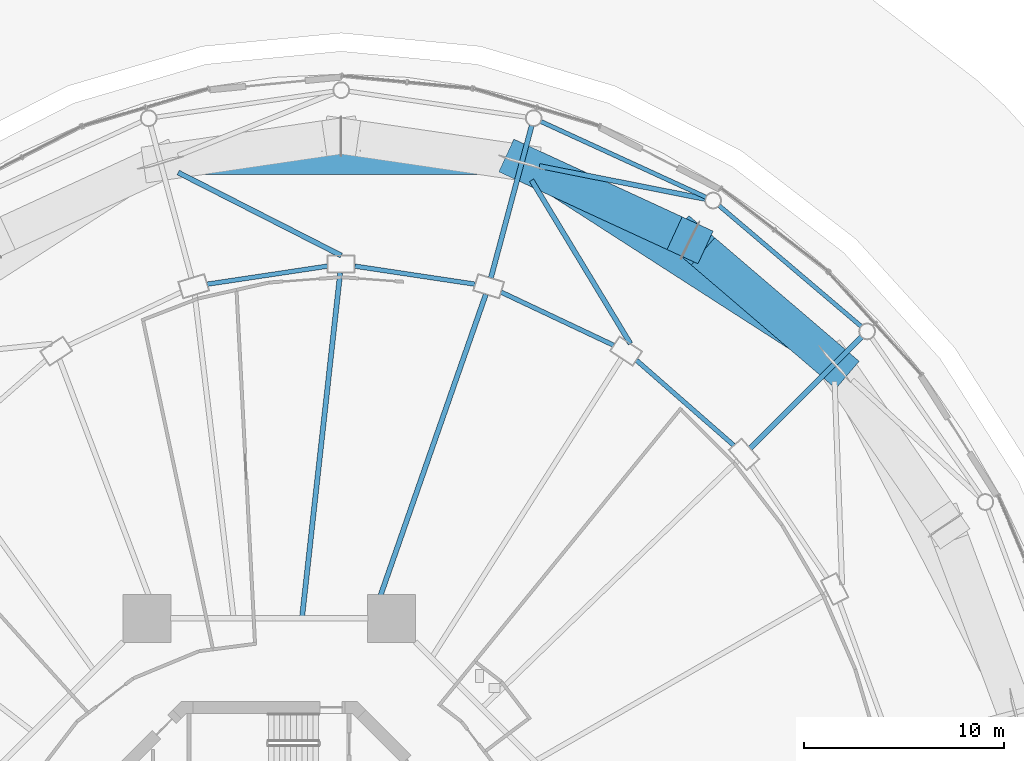
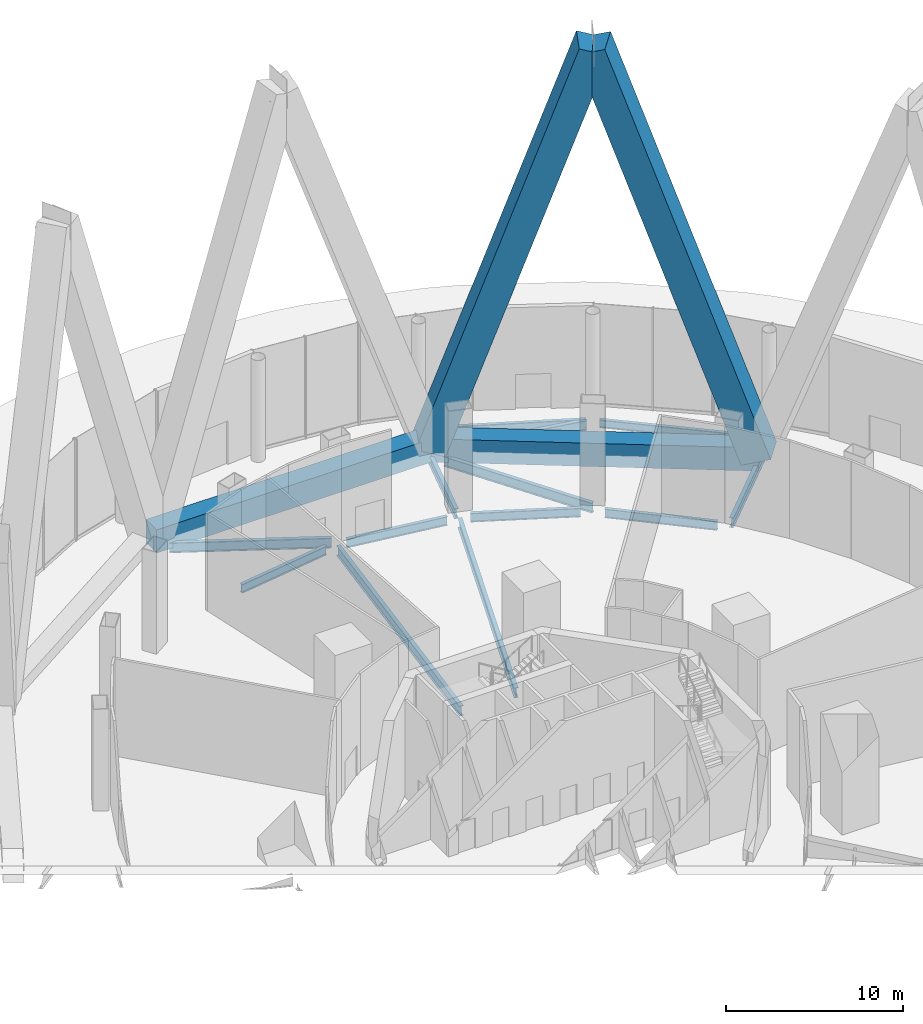
# One storey, part 48 of 67: 13 beams, 4 members.
"""IFC4 building model written with IfcOpenShell, lengths in metres."""

from ifc_helpers import new_model, si_unit, direction, frame, origin, origin_2d, place, context, subcontext, project, spatial, rectangle, i_section, extrude, material, material_profile, profile_set, type_object, element, save


model = new_model("IFC4")

# Units and contexts
model_context = context("Model", 3, precision=1e-05, world=origin(), true_north=direction((0.0, 1.0)))
body_context = subcontext(model_context, "Body", "Model", "MODEL_VIEW")
ifc_project = project(units=[si_unit("LENGTHUNIT", "METRE"), si_unit("AREAUNIT", "SQUARE_METRE"), si_unit("VOLUMEUNIT", "CUBIC_METRE"), si_unit("PLANEANGLEUNIT", "RADIAN"), si_unit("MASSUNIT", "GRAM", prefix="KILO")], contexts=[model_context])

# Site, building, storey
site_placement = place(None, origin())
site = spatial("IfcSite", under=ifc_project, at=site_placement, CompositionType="ELEMENT")
building_placement = place(site_placement, origin())
building = spatial("IfcBuilding", under=site, at=building_placement, Name="Nagisa Residences", CompositionType="ELEMENT")
storey_placement = place(building_placement, origin())
storey = spatial("IfcBuildingStorey", under=building, at=storey_placement, Name="L00", CompositionType="ELEMENT", Elevation=0.0)

# Beams
ifc_material_1 = material(Name="Steel ASTM A572 Gr 50", Category="steel")
ifc_material_profile_1 = material_profile(ifc_material_1, i_section(OverallWidth=0.2529296875, OverallDepth=0.677978515625, WebThickness=0.01171875, FlangeThickness=0.016357421875, at=origin_2d()), Name="W690x125")
ifc_profile_set_1 = profile_set([ifc_material_profile_1], Name="Steel ASTM A572 Gr 50")
beam_type_1 = type_object("IfcBeamType", Name="Atrium outer beam W690x125", PredefinedType="BEAM", material=ifc_profile_set_1)
beam_1_placement = place(storey_placement, frame((24.057373046875, 23.28564453125, -0.739013671875), z_axis=(0.707091295005, 0.707122267029, 0.0), x_axis=(-0.707122267029, 0.707091295005, 0.0)))
element("IfcBeam", 1, at=beam_1_placement, inside=storey, type_object=beam_type_1, Name="beam:L00:er04", PredefinedType="BEAM", context=body_context, shape_type="SweptSolid", body=[
    extrude(i_section(OverallWidth=0.2529296875, OverallDepth=0.677978515625, WebThickness=0.01171875, FlangeThickness=0.016357421875, at=origin_2d()), origin(), (0.0, 0.0, 1.0), 7.882568359375),
])
beam_2_placement = place(storey_placement, frame((18.0654296875, 28.518798828125, -0.739013671875), z_axis=(-0.517608225474, 0.855617744628, 0.0), x_axis=(-0.855617744628, -0.517608225474, 0.0)))
element("IfcBeam", 2, at=beam_2_placement, inside=storey, type_object=beam_type_1, Name="beam:L00:er05a", PredefinedType="BEAM", context=body_context, shape_type="SweptSolid", body=[
    extrude(i_section(OverallWidth=0.2529296875, OverallDepth=0.677978515625, WebThickness=0.01171875, FlangeThickness=0.016357421875, at=origin_2d()), origin(), (0.0, 0.0, 1.0), 9.55224609375),
])
beam_3_placement = place(storey_placement, frame((13.51318359375, 37.400146484375, -0.739013671875), z_axis=(0.980959139789, -0.194214227247, 0.0), x_axis=(0.194214227247, 0.980959139789, 0.0)))
element("IfcBeam", 3, at=beam_3_placement, inside=storey, type_object=beam_type_1, Name="beam:L00:er05b", PredefinedType="BEAM", context=body_context, shape_type="SweptSolid", body=[
    extrude(i_section(OverallWidth=0.2529296875, OverallDepth=0.677978515625, WebThickness=0.01171875, FlangeThickness=0.016357421875, at=origin_2d()), origin(), (0.0, 0.0, 1.0), 8.46875),
])
beam_4_placement = place(storey_placement, frame((11.087646484375, 31.80810546875, -0.739013671875), z_axis=(0.258809356376, 0.965928422324, 0.0), x_axis=(-0.965928422324, 0.258809356376, 0.0)))
element("IfcBeam", 4, at=beam_4_placement, inside=storey, type_object=beam_type_1, Name="beam:L00:er06", PredefinedType="BEAM", context=body_context, shape_type="SweptSolid", body=[
    extrude(i_section(OverallWidth=0.2529296875, OverallDepth=0.677978515625, WebThickness=0.01171875, FlangeThickness=0.016357421875, at=origin_2d()), origin(), (0.0, 0.0, 1.0), 7.88330078125),
])
beam_5_placement = place(storey_placement, frame((3.60009765625, 32.929931640625, -0.739013671875), z_axis=(-0.891189998388, 0.453630231327, 0.0), x_axis=(-0.453630231327, -0.891189998388, 0.0)))
element("IfcBeam", 5, at=beam_5_placement, inside=storey, type_object=beam_type_1, Name="beam:L00:er07a", PredefinedType="BEAM", context=body_context, shape_type="SweptSolid", body=[
    extrude(i_section(OverallWidth=0.2529296875, OverallDepth=0.677978515625, WebThickness=0.01171875, FlangeThickness=0.016357421875, at=origin_2d()), origin(), (0.0, 0.0, 1.0), 9.1455078125),
])
ifc_material_2 = material(Name="Steel ASTM A572 Gr 50", Category="steel")
ifc_material_profile_2 = material_profile(ifc_material_2, i_section(OverallWidth=0.214111328125, OverallDepth=0.549072265625, WebThickness=0.0146484375, FlangeThickness=0.023681640625, at=origin_2d()), Name="W530x138")
ifc_profile_set_2 = profile_set([ifc_material_profile_2], Name="Steel ASTM A572 Gr 50")
beam_type_2 = type_object("IfcBeamType", Name="Atrium ring beam W530x138", PredefinedType="BEAM", material=ifc_profile_set_2)
beam_6_placement = place(storey_placement, frame((29.60986328125, 29.383056640625, -0.674560546875), z_axis=(-0.761996084448, 0.647581629824, 0.0), x_axis=(-0.647581629824, -0.761996084448, 0.0)))
element("IfcBeam", 6, at=beam_6_placement, inside=storey, type_object=beam_type_2, Name="beam:L00:ab04", PredefinedType="BEAM", context=body_context, shape_type="SweptSolid", body=[
    extrude(i_section(OverallWidth=0.214111328125, OverallDepth=0.549072265625, WebThickness=0.0146484375, FlangeThickness=0.023681640625, at=origin_2d()), origin(), (0.0, 0.0, 1.0), 9.337646484375),
])
beam_7_placement = place(storey_placement, frame((21.8486328125, 35.84130859375, -0.674560546875), z_axis=(-0.908914420706, 0.416982704477, 0.0), x_axis=(-0.416982704477, -0.908914420706, 0.0)))
element("IfcBeam", 7, at=beam_7_placement, inside=storey, type_object=beam_type_2, Name="beam:L00:ab05", PredefinedType="BEAM", context=body_context, shape_type="SweptSolid", body=[
    extrude(i_section(OverallWidth=0.214111328125, OverallDepth=0.549072265625, WebThickness=0.0146484375, FlangeThickness=0.023681640625, at=origin_2d()), origin(), (0.0, 0.0, 1.0), 9.097900390625),
])

# Members
ifc_material_3 = material(Name="Concrete C80", Category="concrete")
ifc_material_profile_3 = material_profile(ifc_material_3, rectangle(XDim=1.800048828125, YDim=1.800048828125, at=origin_2d()), Name="C80 1800x1800")
ifc_profile_set_3 = profile_set([ifc_material_profile_3], Name="Concrete C80")
member_type_1 = type_object("IfcMemberType", Name="Cage diagonal 1 C80 1800x1800", PredefinedType="BRACE", material=ifc_profile_set_3)
member_1_placement = place(storey_placement, frame((28.278076171875, 27.50634765625, 0.0), z_axis=(-0.252496339518, 0.215960018553, 0.943189731134), x_axis=(-0.649983497444, -0.759948322618, 0.0)))
element("IfcMember", 8, at=member_1_placement, inside=storey, type_object=member_type_1, Name="mem:L00:cg1d004", PredefinedType="BRACE", context=body_context, shape_type="SweptSolid", body=[
    extrude(rectangle(XDim=1.800048828125, YDim=1.800048828125, at=origin_2d()), origin(), (0.0, 0.0, 1.0), 28.626220703125),
])
member_2_placement = place(storey_placement, frame((12.6328125, 37.574462890625, 0.0), z_axis=(0.294851836473, -0.136124276507, 0.945797322831), x_axis=(0.419156702322, 0.907913905004, 0.0)))
element("IfcMember", 9, at=member_2_placement, inside=storey, type_object=member_type_1, Name="mem:L00:cg1d005", PredefinedType="BRACE", context=body_context, shape_type="SweptSolid", body=[
    extrude(rectangle(XDim=1.800048828125, YDim=1.800048828125, at=origin_2d()), origin(), (0.0, 0.0, 1.0), 28.54736328125),
])
ifc_material_4 = material(Name="Concrete C80", Category="concrete")
ifc_material_profile_4 = material_profile(ifc_material_4, rectangle(XDim=1.199951171875, YDim=1.60009765625, at=origin_2d()), Name="C80 1200x1600")
ifc_profile_set_4 = profile_set([ifc_material_profile_4], Name="Concrete C80")
member_type_2 = type_object("IfcMemberType", Name="Cage ring 1 C80 1200x1600", PredefinedType="CHORD", material=ifc_profile_set_4)
member_3_placement = place(storey_placement, frame((28.278076171875, 27.50634765625, 0.0), z_axis=(-0.840922992113, 0.541154803485, 0.0), x_axis=(-0.541154803485, -0.840922992113, 0.0)))
element("IfcMember", 10, at=member_3_placement, inside=storey, type_object=member_type_2, Name="beam:L00:cg1r002", PredefinedType="CHORD", context=body_context, shape_type="SweptSolid", body=[
    extrude(rectangle(XDim=1.199951171875, YDim=1.60009765625, at=origin_2d()), origin(), (0.0, 0.0, 1.0), 18.60498046875),
])
member_4_placement = place(storey_placement, frame((12.6328125, 37.574462890625, 0.0), z_axis=(-1.0, 0.0, 0.0), x_axis=(0.0, -1.0, 0.0)))
element("IfcMember", 11, at=member_4_placement, inside=storey, type_object=member_type_2, Name="beam:L00:cg1r003", PredefinedType="CHORD", context=body_context, shape_type="SweptSolid", body=[
    extrude(rectangle(XDim=1.199951171875, YDim=1.60009765625, at=origin_2d()), origin(), (0.0, 0.0, 1.0), 18.065673828125),
])

# Beams
ifc_material_5 = material(Name="Steel ASTM A572 Gr 50", Category="steel")
ifc_material_profile_5 = material_profile(ifc_material_5, i_section(OverallWidth=0.22802734375, OverallDepth=0.60302734375, WebThickness=0.010498046875, FlangeThickness=0.014892578125, at=origin_2d()), Name="W610x101")
ifc_profile_set_5 = profile_set([ifc_material_profile_5], Name="Steel ASTM A572 Gr 50")
beam_type_3 = type_object("IfcBeamType", Name="Perimeter ring beam W610x101", PredefinedType="BEAM", material=ifc_profile_set_5)
beam_8_placement = place(storey_placement, frame((23.236328125, 23.432861328125, -0.701416015625), z_axis=(-0.7525907186, 0.658488580217, 0.0), x_axis=(-0.658488580217, -0.7525907186, 0.0)))
element("IfcBeam", 12, at=beam_8_placement, inside=storey, type_object=beam_type_3, Name="beam:L00:pb04", PredefinedType="BEAM", context=body_context, shape_type="SweptSolid", body=[
    extrude(i_section(OverallWidth=0.22802734375, OverallDepth=0.60302734375, WebThickness=0.010498046875, FlangeThickness=0.014892578125, at=origin_2d()), origin(), (0.0, 0.0, 1.0), 6.470458984375),
])
beam_9_placement = place(storey_placement, frame((17.22900390625, 28.439208984375, -0.701416015625), z_axis=(-0.904215426643, 0.427076646774, 0.0), x_axis=(-0.427076646774, -0.904215426643, 0.0)))
element("IfcBeam", 13, at=beam_9_placement, inside=storey, type_object=beam_type_3, Name="beam:L00:pb05", PredefinedType="BEAM", context=body_context, shape_type="SweptSolid", body=[
    extrude(i_section(OverallWidth=0.22802734375, OverallDepth=0.60302734375, WebThickness=0.010498046875, FlangeThickness=0.014892578125, at=origin_2d()), origin(), (0.0, 0.0, 1.0), 6.2275390625),
])
for number, where, z_axis, x_axis, name in (
    (14, (10.29638671875, 31.49462890625, -0.701416015625), (-0.988914559467, 0.14848566959, 0.0), (-0.14848566959, -0.988914559467, 0.0), "beam:L00:pb06"),
    (15, (2.919677734375, 32.39794921875, -0.701416015625), (-0.988914559467, -0.14848566959, 0.0), (0.14848566959, -0.988914559467, 0.0), "beam:L00:pb07"),
):
    element("IfcBeam", number, at=place(storey_placement, frame(where, z_axis=z_axis, x_axis=x_axis)), inside=storey, type_object=beam_type_3, Name=name, PredefinedType="BEAM", context=body_context, shape_type="SweptSolid", body=[
        extrude(i_section(OverallWidth=0.22802734375, OverallDepth=0.60302734375, WebThickness=0.010498046875, FlangeThickness=0.014892578125, at=origin_2d()), origin(), (0.0, 0.0, 1.0), 6.08349609375),
    ])
ifc_material_6 = material(Name="Steel ASTM A572 Gr 50", Category="steel")
ifc_material_profile_6 = material_profile(ifc_material_6, i_section(OverallWidth=0.25390625, OverallDepth=0.68408203125, WebThickness=0.012451171875, FlangeThickness=0.018798828125, at=origin_2d()), Name="W690x140")
ifc_profile_set_6 = profile_set([ifc_material_profile_6], Name="Steel ASTM A572 Gr 50")
beam_type_4 = type_object("IfcBeamType", Name="Radial beam W690x140", PredefinedType="BEAM", material=ifc_profile_set_6)
beam_10_placement = place(storey_placement, frame((10.834228515625, 30.986328125, -0.741943359375), z_axis=(-0.330051195485, -0.943963033364, 0.0), x_axis=(0.943963033364, -0.330051195485, 0.0)))
element("IfcBeam", 16, at=beam_10_placement, inside=storey, type_object=beam_type_4, Name="beam:L00:rb06", PredefinedType="BEAM", context=body_context, shape_type="SweptSolid", body=[
    extrude(i_section(OverallWidth=0.25390625, OverallDepth=0.68408203125, WebThickness=0.012451171875, FlangeThickness=0.018798828125, at=origin_2d()), origin(), (0.0, 0.0, 1.0), 17.045654296875),
])
beam_11_placement = place(storey_placement, frame((3.55224609375, 32.06982421875, -0.741943359375), z_axis=(-0.110088818647, -0.993921753464, 0.0), x_axis=(0.993921753464, -0.110088818647, 0.0)))
element("IfcBeam", 17, at=beam_11_placement, inside=storey, type_object=beam_type_4, Name="beam:L00:rb07", PredefinedType="BEAM", context=body_context, shape_type="SweptSolid", body=[
    extrude(i_section(OverallWidth=0.25390625, OverallDepth=0.68408203125, WebThickness=0.012451171875, FlangeThickness=0.018798828125, at=origin_2d()), origin(), (0.0, 0.0, 1.0), 17.280029296875),
])

save(model, "model.ifc")
